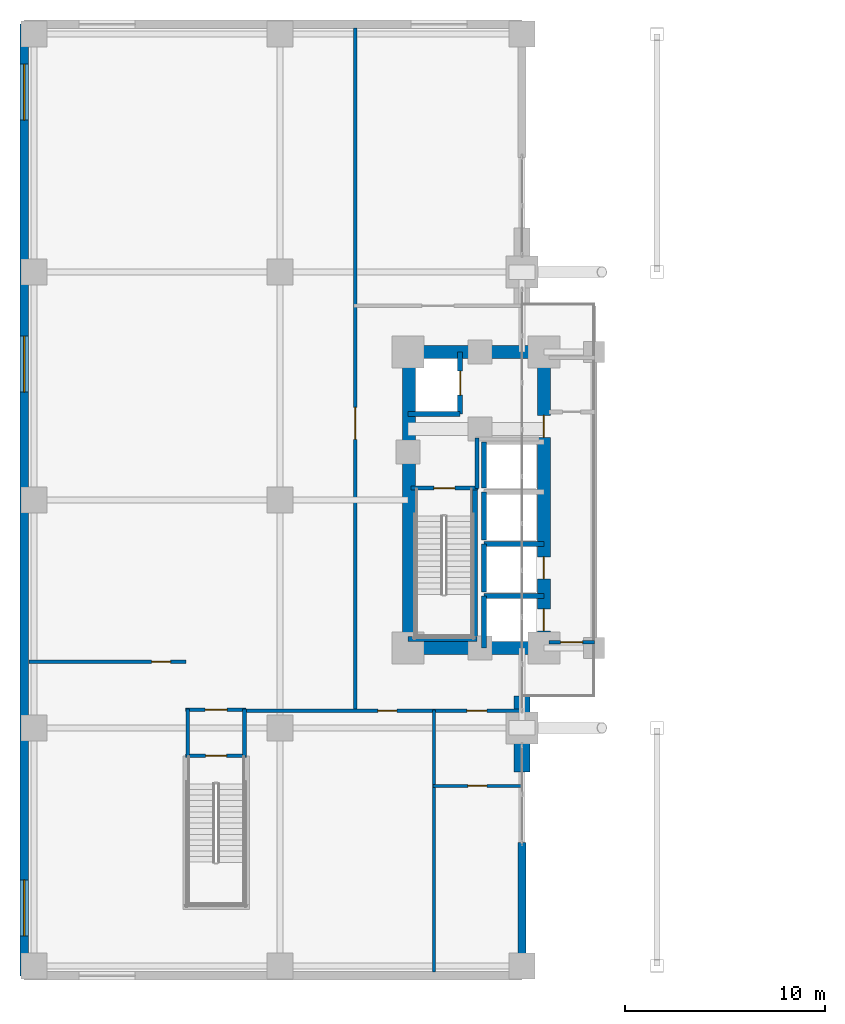
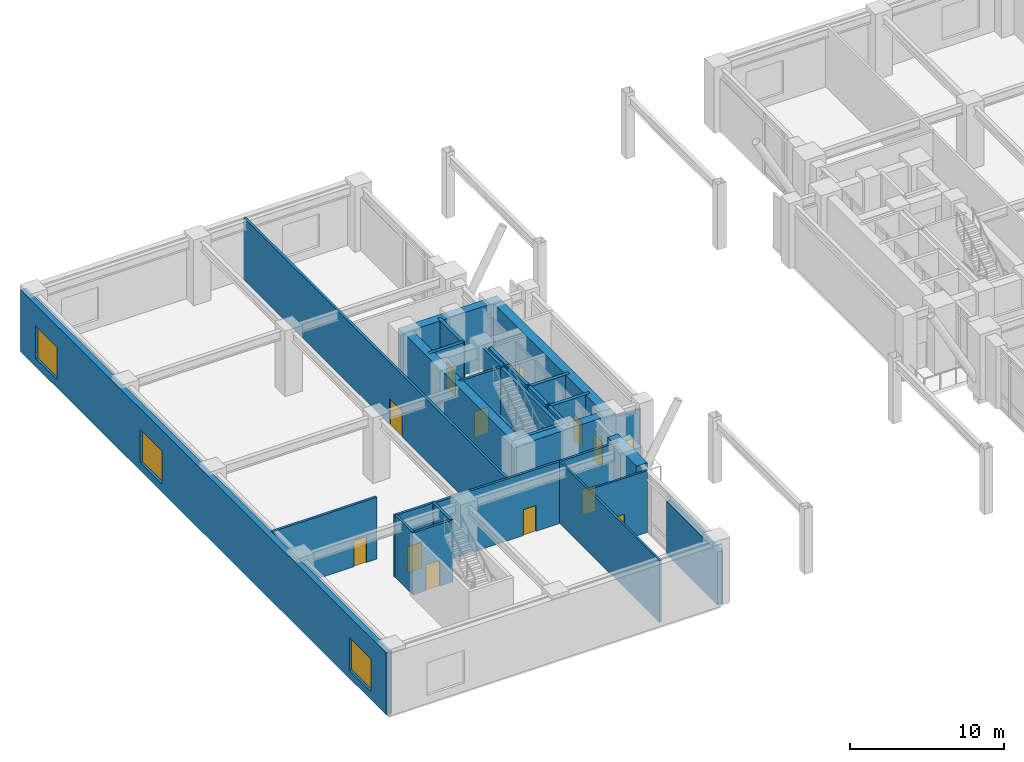
# One storey, part 20 of 27: 29 walls, 13 doors, 3 windows, 16 openings.
"""IFC4 building model written with IfcOpenShell, lengths in metres."""

from ifc_helpers import new_model, si_unit, direction, frame, frame_2d, origin, place, context, subcontext, project, spatial, rectangle, extrude, material, layer, layer_set, type_object, element, fill, save


model = new_model("IFC4")

# Units and contexts
model_context = context("Model", 3, precision=1e-05, world=origin(), true_north=direction((0.0, 1.0)))
body_context = subcontext(model_context, "Body", "Model", "MODEL_VIEW")
ifc_project = project(units=[si_unit("LENGTHUNIT", "METRE"), si_unit("AREAUNIT", "SQUARE_METRE"), si_unit("VOLUMEUNIT", "CUBIC_METRE"), si_unit("PLANEANGLEUNIT", "RADIAN"), si_unit("MASSUNIT", "GRAM", prefix="KILO")], contexts=[model_context])

# Site, building, storey
site_placement = place(None, origin())
site = spatial("IfcSite", under=ifc_project, at=site_placement, CompositionType="ELEMENT")
building_placement = place(site_placement, origin())
building = spatial("IfcBuilding", under=site, at=building_placement, Name="Voryun Gate Residences", CompositionType="ELEMENT")
storey_placement = place(building_placement, frame((0.0, 0.0, 5.199951171875)))
storey = spatial("IfcBuildingStorey", under=building, at=storey_placement, Name="L01", CompositionType="ELEMENT", Elevation=5.199951171875)

# Walls
ifc_material_1 = material(Name="Concrete C60/75", Category="concrete")
ifc_layer_1 = layer(ifc_material_1, 0.64990234375, Name="CW_CORE_650")
ifc_layer_set_1 = layer_set([ifc_layer_1], Name="Concrete C60/75")
wall_type_1 = type_object("IfcWallType", Name="CW_CORE_650", PredefinedType="SHEAR", material=ifc_layer_set_1)
for number, where, z_axis, x_axis, name in (
    (1, (-19.52490234375, -7.39990234375, 0.0), (0.0, 0.0, 1.0), (1.0, 0.0, 0.0), "L01 Core shear wall CW-L01-WS"),
    (2, (-19.52490234375, 7.39990234375, 0.0), (0.0, 0.0, 1.0), (1.0, 0.0, 0.0), "L01 Core shear wall CW-L01-WN"),
):
    element("IfcWall", number, at=place(storey_placement, frame(where, z_axis=z_axis, x_axis=x_axis)), inside=storey, type_object=wall_type_1, Name=name, PredefinedType="SHEAR", context=body_context, shape_type="SweptSolid", body=[
        extrude(rectangle(XDim=7.449951171875, YDim=0.64990234375, at=frame_2d((3.72509765625, 0.0))), origin(), (0.0, 0.0, 1.0), 4.920166015625),
    ])
wall_1_placement = place(storey_placement, frame((-19.14501953125, -7.39990234375, 0.0), z_axis=(0.0, 0.0, 1.0), x_axis=(0.0, 1.0, 0.0)))
element("IfcWall", 3, at=wall_1_placement, inside=storey, type_object=wall_type_1, Name="L01 Core shear wall CW-L01-WW", PredefinedType="SHEAR", context=body_context, shape_type="SweptSolid", body=[
    extrude(rectangle(XDim=14.7998046875, YDim=0.64990234375, at=frame_2d((7.39990234375, 0.0))), origin(), (0.0, 0.0, 1.0), 4.920166015625),
])

# Wall, openings, doors
wall_2_placement = place(storey_placement, frame((-12.39990234375, -7.39990234375, 0.0), z_axis=(0.0, 0.0, 1.0), x_axis=(0.0, 1.0, 0.0)))
wall_2 = element("IfcWall", 4, at=wall_2_placement, inside=storey, type_object=wall_type_1, Name="L01 Core shear wall CW-L01-WE", PredefinedType="SHEAR", context=body_context, shape_type="SweptSolid", body=[
    extrude(rectangle(XDim=14.7998046875, YDim=0.64990234375, at=frame_2d((7.39990234375, 0.0))), origin(), (0.0, 0.0, 1.0), 4.920166015625),
])
opening_1_placement = place(wall_2_placement, frame((0.85009765625, 0.0, 0.0)))
opening_1 = element("IfcOpeningElement", 5, at=opening_1_placement, cuts=wall_2, Name="Opening LD2", PredefinedType="OPENING", context=body_context, shape_type="SweptSolid", body=[
    extrude(rectangle(XDim=1.10009765625, YDim=2.050048828125, at=frame_2d((0.550048828125, 1.02490234375))), frame((0.0, 0.3349609375, 0.0), z_axis=(0.0, -1.0, 0.0), x_axis=(1.0, 0.0, 0.0)), (0.0, 0.0, 1.0), 0.669921875),
])
opening_2_placement = place(wall_2_placement, frame((3.449951171875, 0.0, 0.0)))
opening_2 = element("IfcOpeningElement", 6, at=opening_2_placement, cuts=wall_2, Name="Opening LD2", PredefinedType="OPENING", context=body_context, shape_type="SweptSolid", body=[
    extrude(rectangle(XDim=1.10009765625, YDim=2.050048828125, at=frame_2d((0.550048828125, 1.02490234375))), frame((0.0, 0.3349609375, 0.0), z_axis=(0.0, -1.0, 0.0), x_axis=(1.0, 0.0, 0.0)), (0.0, 0.0, 1.0), 0.669921875),
])
opening_3_placement = place(wall_2_placement, frame((10.530029296875, 0.0, 0.0)))
opening_3 = element("IfcOpeningElement", 7, at=opening_3_placement, cuts=wall_2, Name="Opening D-FD60-2", PredefinedType="OPENING", context=body_context, shape_type="SweptSolid", body=[
    extrude(rectangle(XDim=1.10009765625, YDim=2.050048828125, at=frame_2d((0.550048828125, 1.02490234375))), frame((0.0, 0.3349609375, 0.0), z_axis=(0.0, -1.0, 0.0), x_axis=(1.0, 0.0, 0.0)), (0.0, 0.0, 1.0), 0.669921875),
])
ifc_material_2 = material(Name="Painted steel fire door", Category="steel")
door_type_1 = type_object("IfcDoorType", Name="DR_FD60_FFLOB_1100", OperationType="NOTDEFINED", PredefinedType="DOOR", material=ifc_material_2)
door_1_placement = place(opening_3_placement, origin())
door_1 = element("IfcDoor", 8, at=door_1_placement, inside=storey, type_object=door_type_1, Name="Door DR-L01-CLOB-W", OperationType="SINGLE_SWING_LEFT", OverallHeight=2.050048828125, OverallWidth=1.10009765625, PredefinedType="DOOR", context=body_context, shape_type="SweptSolid", body=[
    extrude(rectangle(XDim=1.10009765625, YDim=2.050048828125, at=frame_2d((0.550048828125, 1.02490234375))), frame((0.0, 0.02490234375, 0.0), z_axis=(0.0, -1.0, 0.0), x_axis=(1.0, 0.0, 0.0)), (0.0, 0.0, 1.0), 0.050048828125),
])
fill(opening_3, door_1)
ifc_material_3 = material(Name="Anodised aluminium", Category="aluminium")
door_type_2 = type_object("IfcDoorType", Name="DR_LD_PASS_1100", OperationType="NOTDEFINED", PredefinedType="DOOR", material=ifc_material_3)
door_2_placement = place(opening_1_placement, origin())
door_2 = element("IfcDoor", 9, at=door_2_placement, inside=storey, type_object=door_type_2, Name="Lift EL-P1 sliding landing door L01", OperationType="SLIDING_TO_LEFT", OverallHeight=2.050048828125, OverallWidth=1.10009765625, PredefinedType="DOOR", context=body_context, shape_type="SweptSolid", body=[
    extrude(rectangle(XDim=1.10009765625, YDim=2.050048828125, at=frame_2d((0.550048828125, 1.02490234375))), frame((0.0, 0.02490234375, 0.0), z_axis=(0.0, -1.0, 0.0), x_axis=(1.0, 0.0, 0.0)), (0.0, 0.0, 1.0), 0.050048828125),
])
fill(opening_1, door_2)
door_3_placement = place(opening_2_placement, origin())
door_3 = element("IfcDoor", 10, at=door_3_placement, inside=storey, type_object=door_type_2, Name="Lift EL-P2 sliding landing door L01", OperationType="SLIDING_TO_LEFT", OverallHeight=2.050048828125, OverallWidth=1.10009765625, PredefinedType="DOOR", context=body_context, shape_type="SweptSolid", body=[
    extrude(rectangle(XDim=1.10009765625, YDim=2.050048828125, at=frame_2d((0.550048828125, 1.02490234375))), frame((0.0, 0.02490234375, 0.0), z_axis=(0.0, -1.0, 0.0), x_axis=(1.0, 0.0, 0.0)), (0.0, 0.0, 1.0), 0.050048828125),
])
fill(opening_2, door_3)

# Wall
ifc_material_4 = material(Name="Concrete C60/75", Category="concrete")
ifc_layer_2 = layer(ifc_material_4, 0.800048828125, Name="W_ARCH_PIER_800")
ifc_layer_set_2 = layer_set([ifc_layer_2], Name="Concrete C60/75")
wall_type_2 = type_object("IfcWallType", Name="W_ARCH_PIER_800", PredefinedType="SOLIDWALL", material=ifc_layer_set_2)
wall_3_placement = place(storey_placement, frame((-13.5, -13.60009765625, 0.0), z_axis=(0.0, 0.0, 1.0), x_axis=(0.0, 1.0, 0.0)))
element("IfcWall", 11, at=wall_3_placement, inside=storey, type_object=wall_type_2, Name="L01 Parabolic arch pier wall WS", PredefinedType="SOLIDWALL", context=body_context, shape_type="SweptSolid", body=[
    extrude(rectangle(XDim=3.800048828125, YDim=0.800048828125, at=frame_2d((1.89990234375, 0.0))), origin(), (0.0, 0.0, 1.0), 4.920166015625),
])

# Wall, opening, door
ifc_material_5 = material(Name="Gypsum acoustic fireboard")
ifc_layer_3 = layer(ifc_material_5, 0.179931640625, Name="W_CORR_RATED_180")
ifc_layer_set_3 = layer_set([ifc_layer_3], Name="Gypsum acoustic fireboard")
wall_type_3 = type_object("IfcWallType", Name="W_CORR_RATED_180", PredefinedType="PARTITIONING", material=ifc_layer_set_3)
wall_4_placement = place(storey_placement, frame((-19.06005859375, 0.60009765625, 0.0), z_axis=(0.0, 0.0, 1.0), x_axis=(1.0, 0.0, 0.0)))
wall_4 = element("IfcWall", 12, at=wall_4_placement, inside=storey, type_object=wall_type_3, Name="Partition wall WP-L01-STV-W", PredefinedType="PARTITIONING", context=body_context, shape_type="SweptSolid", body=[
    extrude(rectangle(XDim=3.360107421875, YDim=0.179931640625, at=frame_2d((1.68017578125, 0.0))), origin(), (0.0, 0.0, 1.0), 4.920166015625),
])
opening_4_placement = place(wall_4_placement, frame((1.155029296875, 0.0, 0.0)))
opening_4 = element("IfcOpeningElement", 13, at=opening_4_placement, cuts=wall_4, Name="Opening D-FD60-1", PredefinedType="OPENING", context=body_context, shape_type="SweptSolid", body=[
    extrude(rectangle(XDim=1.050048828125, YDim=2.050048828125, at=frame_2d((0.52490234375, 1.02490234375))), frame((0.0, 0.099853515625, 0.0), z_axis=(0.0, -1.0, 0.0), x_axis=(1.0, 0.0, 0.0)), (0.0, 0.0, 1.0), 0.199951171875),
])
ifc_material_6 = material(Name="Painted steel fire door", Category="steel")
door_type_3 = type_object("IfcDoorType", Name="DR_FD60_STAIR_1050", OperationType="NOTDEFINED", PredefinedType="DOOR", material=ifc_material_6)
door_4_placement = place(opening_4_placement, origin())
door_4 = element("IfcDoor", 14, at=door_4_placement, inside=storey, type_object=door_type_3, Name="Door DR-L01-ST-W", OperationType="SINGLE_SWING_LEFT", OverallHeight=2.050048828125, OverallWidth=1.050048828125, PredefinedType="DOOR", context=body_context, shape_type="SweptSolid", body=[
    extrude(rectangle(XDim=1.050048828125, YDim=2.050048828125, at=frame_2d((0.52490234375, 1.02490234375))), frame((0.0, 0.02490234375, 0.0), z_axis=(0.0, -1.0, 0.0), x_axis=(1.0, 0.0, 0.0)), (0.0, 0.0, 1.0), 0.050048828125),
])
fill(opening_4, door_4)

wall_5_placement = place(storey_placement, frame((-12.14990234375, -7.1201171875, 0.0), z_axis=(0.0, 0.0, 1.0), x_axis=(1.0, 0.0, 0.0)))
wall_5 = element("IfcWall", 15, at=wall_5_placement, inside=storey, type_object=wall_type_3, Name="Partition wall WP-L01-PLBS-W", PredefinedType="PARTITIONING", context=body_context, shape_type="SweptSolid", body=[
    extrude(rectangle(XDim=2.27001953125, YDim=0.179931640625, at=frame_2d((1.135009765625, 0.0))), origin(), (0.0, 0.0, 1.0), 4.2099609375),
])
opening_5_placement = place(wall_5_placement, frame((0.5849609375, 0.0, 0.0)))
opening_5 = element("IfcOpeningElement", 16, at=opening_5_placement, cuts=wall_5, Name="Opening D-FD60-2", PredefinedType="OPENING", context=body_context, shape_type="SweptSolid", body=[
    extrude(rectangle(XDim=1.10009765625, YDim=2.050048828125, at=frame_2d((0.550048828125, 1.02490234375))), frame((0.0, 0.099853515625, 0.0), z_axis=(0.0, -1.0, 0.0), x_axis=(1.0, 0.0, 0.0)), (0.0, 0.0, 1.0), 0.199951171875),
])
door_5_placement = place(opening_5_placement, origin())
door_5 = element("IfcDoor", 17, at=door_5_placement, inside=storey, type_object=door_type_1, Name="Door DR-L01-PLBNW", OperationType="SINGLE_SWING_LEFT", OverallHeight=2.050048828125, OverallWidth=1.10009765625, PredefinedType="DOOR", context=body_context, shape_type="SweptSolid", body=[
    extrude(rectangle(XDim=1.10009765625, YDim=2.050048828125, at=frame_2d((0.550048828125, 1.02490234375))), frame((0.0, 0.02490234375, 0.0), z_axis=(0.0, -1.0, 0.0), x_axis=(1.0, 0.0, 0.0)), (0.0, 0.0, 1.0), 0.050048828125),
])
fill(opening_5, door_5)

# Walls
for number, where, z_axis, x_axis, name in (
    (18, (-30.219970703125, -12.800048828125, 0.0), (0.0, 0.0, 1.0), (0.0, 1.0, 0.0), "Partition wall WP-L01-ST-P1-VW"),
    (19, (-27.3798828125, -12.800048828125, 0.0), (0.0, 0.0, 1.0), (0.0, 1.0, 0.0), "Partition wall WP-L01-ST-P1-VE"),
):
    element("IfcWall", number, at=place(storey_placement, frame(where, z_axis=z_axis, x_axis=x_axis)), inside=storey, type_object=wall_type_3, Name=name, PredefinedType="PARTITIONING", context=body_context, shape_type="SweptSolid", body=[
        extrude(rectangle(XDim=2.35009765625, YDim=0.179931640625, at=frame_2d((1.175048828125, 0.0))), origin(), (0.0, 0.0, 1.0), 4.920166015625),
    ])

# Wall, opening, door
wall_6_placement = place(storey_placement, frame((-30.320068359375, -12.800048828125, 0.0), z_axis=(0.0, 0.0, 1.0), x_axis=(1.0, 0.0, 0.0)))
wall_6 = element("IfcWall", 20, at=wall_6_placement, inside=storey, type_object=wall_type_3, Name="Partition wall WP-L01-ST-P1-MID", PredefinedType="PARTITIONING", context=body_context, shape_type="SweptSolid", body=[
    extrude(rectangle(XDim=3.0400390625, YDim=0.179931640625, at=frame_2d((1.52001953125, 0.0))), origin(), (0.0, 0.0, 1.0), 4.920166015625),
])
opening_6_placement = place(wall_6_placement, frame((0.9951171875, 0.0, 0.0)))
opening_6 = element("IfcOpeningElement", 21, at=opening_6_placement, cuts=wall_6, Name="Opening D-FD60-1", PredefinedType="OPENING", context=body_context, shape_type="SweptSolid", body=[
    extrude(rectangle(XDim=1.050048828125, YDim=2.050048828125, at=frame_2d((0.52490234375, 1.02490234375))), frame((0.0, 0.099853515625, 0.0), z_axis=(0.0, -1.0, 0.0), x_axis=(1.0, 0.0, 0.0)), (0.0, 0.0, 1.0), 0.199951171875),
])
door_6_placement = place(opening_6_placement, origin())
door_6 = element("IfcDoor", 22, at=door_6_placement, inside=storey, type_object=door_type_3, Name="Door DR-L01-ST-P1-IN", OperationType="SINGLE_SWING_LEFT", OverallHeight=2.050048828125, OverallWidth=1.050048828125, PredefinedType="DOOR", context=body_context, shape_type="SweptSolid", body=[
    extrude(rectangle(XDim=1.050048828125, YDim=2.050048828125, at=frame_2d((0.52490234375, 1.02490234375))), frame((0.0, 0.02490234375, 0.0), z_axis=(0.0, -1.0, 0.0), x_axis=(1.0, 0.0, 0.0)), (0.0, 0.0, 1.0), 0.050048828125),
])
fill(opening_6, door_6)

wall_7_placement = place(storey_placement, frame((-30.320068359375, -10.5, 0.0), z_axis=(0.0, 0.0, 1.0), x_axis=(1.0, 0.0, 0.0)))
wall_7 = element("IfcWall", 23, at=wall_7_placement, inside=storey, type_object=wall_type_3, Name="Partition wall WP-L01-ST-P1-N", PredefinedType="PARTITIONING", context=body_context, shape_type="SweptSolid", body=[
    extrude(rectangle(XDim=3.02001953125, YDim=0.179931640625, at=frame_2d((1.510009765625, 0.0))), origin(), (0.0, 0.0, 1.0), 4.920166015625),
])
opening_7_placement = place(wall_7_placement, frame((0.969970703125, 0.0, 0.0)))
opening_7 = element("IfcOpeningElement", 24, at=opening_7_placement, cuts=wall_7, Name="Opening D-FD60-2", PredefinedType="OPENING", context=body_context, shape_type="SweptSolid", body=[
    extrude(rectangle(XDim=1.10009765625, YDim=2.050048828125, at=frame_2d((0.550048828125, 1.02490234375))), frame((0.0, 0.099853515625, 0.0), z_axis=(0.0, -1.0, 0.0), x_axis=(1.0, 0.0, 0.0)), (0.0, 0.0, 1.0), 0.199951171875),
])
door_7_placement = place(opening_7_placement, origin())
door_7 = element("IfcDoor", 25, at=door_7_placement, inside=storey, type_object=door_type_1, Name="Door DR-L01-ST-P1-OUT", OperationType="SINGLE_SWING_RIGHT", OverallHeight=2.050048828125, OverallWidth=1.10009765625, PredefinedType="DOOR", context=body_context, shape_type="SweptSolid", body=[
    extrude(rectangle(XDim=1.10009765625, YDim=2.050048828125, at=frame_2d((0.550048828125, 1.02490234375))), frame((0.0, 0.02490234375, 0.0), z_axis=(0.0, -1.0, 0.0), x_axis=(1.0, 0.0, 0.0)), (0.0, 0.0, 1.0), 0.050048828125),
])
fill(opening_7, door_7)

wall_8_placement = place(storey_placement, frame((-38.14990234375, -8.10009765625, 0.0), z_axis=(0.0, 0.0, 1.0), x_axis=(1.0, 0.0, 0.0)))
wall_8 = element("IfcWall", 26, at=wall_8_placement, inside=storey, type_object=wall_type_3, Name="Partition wall WP-L01-WCS1", PredefinedType="PARTITIONING", context=body_context, shape_type="SweptSolid", body=[
    extrude(rectangle(XDim=7.849853515625, YDim=0.179931640625, at=frame_2d((3.9248046875, 0.0))), origin(), (0.0, 0.0, 1.0), 4.920166015625),
])
opening_8_placement = place(wall_8_placement, frame((6.118896484375, 0.0, 0.0)))
opening_8 = element("IfcOpeningElement", 27, at=opening_8_placement, cuts=wall_8, Name="Opening D-INT-1", PredefinedType="OPENING", context=body_context, shape_type="SweptSolid", body=[
    extrude(rectangle(XDim=0.949951171875, YDim=2.050048828125, at=frame_2d((0.47509765625, 1.02490234375))), frame((0.0, 0.099853515625, 0.0), z_axis=(0.0, -1.0, 0.0), x_axis=(1.0, 0.0, 0.0)), (0.0, 0.0, 1.0), 0.199951171875),
])
ifc_material_7 = material(Name="Architectural oak veneer")
door_type_4 = type_object("IfcDoorType", Name="DR_INT_ROOM_950", OperationType="NOTDEFINED", PredefinedType="DOOR", material=ifc_material_7)
door_8_placement = place(opening_8_placement, origin())
door_8 = element("IfcDoor", 28, at=door_8_placement, inside=storey, type_object=door_type_4, Name="Door DR-L01-WD2", OperationType="SINGLE_SWING_LEFT", OverallHeight=2.050048828125, OverallWidth=0.949951171875, PredefinedType="DOOR", context=body_context, shape_type="SweptSolid", body=[
    extrude(rectangle(XDim=0.949951171875, YDim=2.050048828125, at=frame_2d((0.47509765625, 1.02490234375))), frame((0.0, 0.02490234375, 0.0), z_axis=(0.0, -1.0, 0.0), x_axis=(1.0, 0.0, 0.0)), (0.0, 0.0, 1.0), 0.050048828125),
])
fill(opening_8, door_8)

wall_9_placement = place(storey_placement, frame((-21.85009765625, -10.5, 0.0), z_axis=(0.0, 0.0, 1.0), x_axis=(0.0, 1.0, 0.0)))
wall_9 = element("IfcWall", 29, at=wall_9_placement, inside=storey, type_object=wall_type_3, Name="Partition wall WP-L01-WCW1", PredefinedType="PARTITIONING", context=body_context, shape_type="SweptSolid", body=[
    extrude(rectangle(XDim=34.1201171875, YDim=0.179931640625, at=frame_2d((17.06005859375, 0.0))), origin(), (0.0, 0.0, 1.0), 4.920166015625),
])
opening_9_placement = place(wall_9_placement, frame((13.530517578125, 0.0, 0.0)))
opening_9 = element("IfcOpeningElement", 30, at=opening_9_placement, cuts=wall_9, Name="Opening D-FD30-1", PredefinedType="OPENING", context=body_context, shape_type="SweptSolid", body=[
    extrude(rectangle(XDim=1.60009765625, YDim=2.050048828125, at=frame_2d((0.800048828125, 1.02490234375))), frame((0.0, 0.099853515625, 0.0), z_axis=(0.0, -1.0, 0.0), x_axis=(1.0, 0.0, 0.0)), (0.0, 0.0, 1.0), 0.199951171875),
])
ifc_material_8 = material(Name="Glazed aluminium fire door", Category="aluminium")
door_type_5 = type_object("IfcDoorType", Name="DR_CORR_SMOKE_1600", OperationType="NOTDEFINED", PredefinedType="DOOR", material=ifc_material_8)
door_9_placement = place(opening_9_placement, origin())
door_9 = element("IfcDoor", 31, at=door_9_placement, inside=storey, type_object=door_type_5, Name="Door DR-L01-WD1", OperationType="DOUBLE_DOOR_SINGLE_SWING", OverallHeight=2.050048828125, OverallWidth=1.60009765625, PredefinedType="DOOR", context=body_context, shape_type="SweptSolid", body=[
    extrude(rectangle(XDim=1.60009765625, YDim=2.050048828125, at=frame_2d((0.800048828125, 1.02490234375))), frame((0.0, 0.02490234375, 0.0), z_axis=(0.0, -1.0, 0.0), x_axis=(1.0, 0.0, 0.0)), (0.0, 0.0, 1.0), 0.050048828125),
])
fill(opening_9, door_9)

# Wall, openings, doors
wall_10_placement = place(storey_placement, frame((-27.47998046875, -10.550048828125, 0.0), z_axis=(0.0, 0.0, 1.0), x_axis=(1.0, 0.0, 0.0)))
wall_10 = element("IfcWall", 32, at=wall_10_placement, inside=storey, type_object=wall_type_3, Name="Partition wall WP-L01-WCS2", PredefinedType="PARTITIONING", context=body_context, shape_type="SweptSolid", body=[
    extrude(rectangle(XDim=13.9599609375, YDim=0.179931640625, at=frame_2d((6.97998046875, 0.0))), origin(), (0.0, 0.0, 1.0), 4.920166015625),
])
opening_10_placement = place(wall_10_placement, frame((6.774658203125, 0.0, 0.0)))
opening_10 = element("IfcOpeningElement", 33, at=opening_10_placement, cuts=wall_10, Name="Opening D-INT-1", PredefinedType="OPENING", context=body_context, shape_type="SweptSolid", body=[
    extrude(rectangle(XDim=0.949951171875, YDim=2.050048828125, at=frame_2d((0.47509765625, 1.02490234375))), frame((0.0, 0.099853515625, 0.0), z_axis=(0.0, -1.0, 0.0), x_axis=(1.0, 0.0, 0.0)), (0.0, 0.0, 1.0), 0.199951171875),
])
opening_11_placement = place(wall_10_placement, frame((11.22314453125, 0.0, 0.0)))
opening_11 = element("IfcOpeningElement", 34, at=opening_11_placement, cuts=wall_10, Name="Opening D-AWC-1", PredefinedType="OPENING", context=body_context, shape_type="SweptSolid", body=[
    extrude(rectangle(XDim=1.0, YDim=2.050048828125, at=frame_2d((0.5, 1.02490234375))), frame((0.0, 0.099853515625, 0.0), z_axis=(0.0, -1.0, 0.0), x_axis=(1.0, 0.0, 0.0)), (0.0, 0.0, 1.0), 0.199951171875),
])
ifc_material_9 = material(Name="Architectural oak veneer")
door_type_6 = type_object("IfcDoorType", Name="DR_ACC_WC_1000", OperationType="NOTDEFINED", PredefinedType="DOOR", material=ifc_material_9)
door_10_placement = place(opening_11_placement, origin())
door_10 = element("IfcDoor", 35, at=door_10_placement, inside=storey, type_object=door_type_6, Name="Door DR-L01-WDWC", OperationType="SINGLE_SWING_RIGHT", OverallHeight=2.050048828125, OverallWidth=1.0, PredefinedType="DOOR", context=body_context, shape_type="SweptSolid", body=[
    extrude(rectangle(XDim=1.0, YDim=2.050048828125, at=frame_2d((0.5, 1.02490234375))), frame((0.0, 0.02490234375, 0.0), z_axis=(0.0, -1.0, 0.0), x_axis=(1.0, 0.0, 0.0)), (0.0, 0.0, 1.0), 0.050048828125),
])
fill(opening_11, door_10)
door_11_placement = place(opening_10_placement, origin())
door_11 = element("IfcDoor", 36, at=door_11_placement, inside=storey, type_object=door_type_4, Name="Door DR-L01-WD2B", OperationType="SINGLE_SWING_LEFT", OverallHeight=2.050048828125, OverallWidth=0.949951171875, PredefinedType="DOOR", context=body_context, shape_type="SweptSolid", body=[
    extrude(rectangle(XDim=0.949951171875, YDim=2.050048828125, at=frame_2d((0.47509765625, 1.02490234375))), frame((0.0, 0.02490234375, 0.0), z_axis=(0.0, -1.0, 0.0), x_axis=(1.0, 0.0, 0.0)), (0.0, 0.0, 1.0), 0.050048828125),
])
fill(opening_10, door_11)

# Wall
ifc_material_10 = material(Name="Granite masonry", Category="masonry")
ifc_layer_4 = layer(ifc_material_10, 0.419921875, Name="W_EXT_PODIUM_420")
ifc_layer_set_4 = layer_set([ifc_layer_4], Name="Granite masonry")
wall_type_4 = type_object("IfcWallType", Name="W_EXT_PODIUM_420", PredefinedType="ELEMENTEDWALL", material=ifc_layer_set_4)
wall_11_placement = place(storey_placement, frame((-13.5, -23.800048828125, 0.0), z_axis=(0.0, 0.0, 1.0), x_axis=(0.0, 1.0, 0.0)))
element("IfcWall", 37, at=wall_11_placement, inside=storey, type_object=wall_type_4, Name="Exterior wall WEP-L01-WP-2A", PredefinedType="ELEMENTEDWALL", context=body_context, shape_type="SweptSolid", body=[
    extrude(rectangle(XDim=6.679931640625, YDim=0.419921875, at=frame_2d((3.33984375, 0.0))), origin(), (0.0, 0.0, 1.0), 4.2099609375),
])

# Wall, openings, windows
wall_12_placement = place(storey_placement, frame((-38.39990234375, 23.800048828125, 0.0), z_axis=(0.0, 0.0, 1.0), x_axis=(0.0, -1.0, 0.0)))
wall_12 = element("IfcWall", 38, at=wall_12_placement, inside=storey, type_object=wall_type_4, Name="Exterior wall WEP-L01-WP-4", PredefinedType="ELEMENTEDWALL", context=body_context, shape_type="SweptSolid", body=[
    extrude(rectangle(XDim=47.60009765625, YDim=0.419921875, at=frame_2d((23.800048828125, 0.0))), origin(), (0.0, 0.0, 1.0), 4.920166015625),
])
opening_12_placement = place(wall_12_placement, frame((2.0, 0.0, 0.64990234375)))
opening_12 = element("IfcOpeningElement", 39, at=opening_12_placement, cuts=wall_12, Name="Opening WN5", PredefinedType="OPENING", context=body_context, shape_type="SweptSolid", body=[
    extrude(rectangle(XDim=2.800048828125, YDim=2.60009765625, at=frame_2d((1.39990234375, 1.300048828125))), frame((0.0, 0.219970703125, 0.0), z_axis=(0.0, -1.0, 0.0), x_axis=(1.0, 0.0, 0.0)), (0.0, 0.0, 1.0), 0.43994140625),
])
opening_13_placement = place(wall_12_placement, frame((15.60009765625, 0.0, 0.64990234375)))
opening_13 = element("IfcOpeningElement", 40, at=opening_13_placement, cuts=wall_12, Name="Opening WN5", PredefinedType="OPENING", context=body_context, shape_type="SweptSolid", body=[
    extrude(rectangle(XDim=2.800048828125, YDim=2.60009765625, at=frame_2d((1.39990234375, 1.300048828125))), frame((0.0, 0.219970703125, 0.0), z_axis=(0.0, -1.0, 0.0), x_axis=(1.0, 0.0, 0.0)), (0.0, 0.0, 1.0), 0.43994140625),
])
opening_14_placement = place(wall_12_placement, frame((42.800048828125, 0.0, 0.64990234375)))
opening_14 = element("IfcOpeningElement", 41, at=opening_14_placement, cuts=wall_12, Name="Opening WN5", PredefinedType="OPENING", context=body_context, shape_type="SweptSolid", body=[
    extrude(rectangle(XDim=2.800048828125, YDim=2.60009765625, at=frame_2d((1.39990234375, 1.300048828125))), frame((0.0, 0.219970703125, 0.0), z_axis=(0.0, -1.0, 0.0), x_axis=(1.0, 0.0, 0.0)), (0.0, 0.0, 1.0), 0.43994140625),
])
ifc_material_11 = material(Name="Laminated low-E glass", Category="glass")
window_type = type_object("IfcWindowType", Name="WN_POD_GALLERY_2800", PartitioningType="SINGLE_PANEL", PredefinedType="WINDOW", material=ifc_material_11)
window_1_placement = place(opening_12_placement, origin())
window_1 = element("IfcWindow", 42, at=window_1_placement, inside=storey, type_object=window_type, Name="Window WN-L01-WP-4-01", OverallHeight=2.60009765625, OverallWidth=2.800048828125, PartitioningType="SINGLE_PANEL", PredefinedType="WINDOW", context=body_context, shape_type="SweptSolid", body=[
    extrude(rectangle(XDim=2.800048828125, YDim=2.60009765625, at=frame_2d((1.39990234375, 1.300048828125))), frame((0.0, 0.030029296875, 0.0), z_axis=(0.0, -1.0, 0.0), x_axis=(1.0, 0.0, 0.0)), (0.0, 0.0, 1.0), 0.06005859375),
])
fill(opening_12, window_1)
window_2_placement = place(opening_13_placement, origin())
window_2 = element("IfcWindow", 43, at=window_2_placement, inside=storey, type_object=window_type, Name="Window WN-L01-WP-4-03", OverallHeight=2.60009765625, OverallWidth=2.800048828125, PartitioningType="SINGLE_PANEL", PredefinedType="WINDOW", context=body_context, shape_type="SweptSolid", body=[
    extrude(rectangle(XDim=2.800048828125, YDim=2.60009765625, at=frame_2d((1.39990234375, 1.300048828125))), frame((0.0, 0.030029296875, 0.0), z_axis=(0.0, -1.0, 0.0), x_axis=(1.0, 0.0, 0.0)), (0.0, 0.0, 1.0), 0.06005859375),
])
fill(opening_13, window_2)
window_3_placement = place(opening_14_placement, origin())
window_3 = element("IfcWindow", 44, at=window_3_placement, inside=storey, type_object=window_type, Name="Window WN-L01-WP-4-07", OverallHeight=2.60009765625, OverallWidth=2.800048828125, PartitioningType="SINGLE_PANEL", PredefinedType="WINDOW", context=body_context, shape_type="SweptSolid", body=[
    extrude(rectangle(XDim=2.800048828125, YDim=2.60009765625, at=frame_2d((1.39990234375, 1.300048828125))), frame((0.0, 0.030029296875, 0.0), z_axis=(0.0, -1.0, 0.0), x_axis=(1.0, 0.0, 0.0)), (0.0, 0.0, 1.0), 0.06005859375),
])
fill(opening_14, window_3)

# Walls
ifc_material_12 = material(Name="Concrete C40/50", Category="concrete")
ifc_layer_5 = layer(ifc_material_12, 0.199951171875, Name="W_FF_LOBBY_200")
ifc_layer_set_5 = layer_set([ifc_layer_5], Name="Concrete C40/50")
wall_type_5 = type_object("IfcWallType", Name="W_FF_LOBBY_200", PredefinedType="PARTITIONING", material=ifc_layer_set_5)
wall_13_placement = place(storey_placement, frame((-15.760009765625, 0.580078125, 0.0), z_axis=(0.0, 0.0, 1.0), x_axis=(0.0, 1.0, 0.0)))
element("IfcWall", 45, at=wall_13_placement, inside=storey, type_object=wall_type_5, Name="Partition wall WP-L01-FFP0-W", PredefinedType="PARTITIONING", context=body_context, shape_type="SweptSolid", body=[
    extrude(rectangle(XDim=2.52001953125, YDim=0.199951171875, at=frame_2d((1.260009765625, 0.0))), origin(), (0.0, 0.0, 1.0), 4.920166015625),
])
ifc_material_13 = material(Name="Concrete C50/60", Category="concrete")
ifc_layer_6 = layer(ifc_material_13, 0.25, Name="W_SHAFT_RC250")
ifc_layer_set_6 = layer_set([ifc_layer_6], Name="Concrete C50/60")
wall_type_6 = type_object("IfcWallType", Name="W_SHAFT_RC250", PredefinedType="SOLIDWALL", material=ifc_layer_set_6)
wall_14_placement = place(storey_placement, frame((-15.860107421875, -7.0849609375, 0.0), z_axis=(0.0, 0.0, 1.0), x_axis=(0.0, 1.0, 0.0)))
element("IfcWall", 46, at=wall_14_placement, inside=storey, type_object=wall_type_6, Name="L01 Stair shaft structural wall W-STR", PredefinedType="SOLIDWALL", context=body_context, shape_type="SweptSolid", body=[
    extrude(rectangle(XDim=7.68505859375, YDim=0.25, at=frame_2d((3.842529296875, 0.0))), origin(), (0.0, 0.0, 1.0), 4.920166015625),
])
wall_15_placement = place(storey_placement, frame((-19.199951171875, -6.965087890625, 0.0), z_axis=(0.0, 0.0, 1.0), x_axis=(1.0, 0.0, 0.0)))
element("IfcWall", 47, at=wall_15_placement, inside=storey, type_object=wall_type_6, Name="L01 Stair shaft structural wall W-STS", PredefinedType="SOLIDWALL", context=body_context, shape_type="SweptSolid", body=[
    extrude(rectangle(XDim=3.4599609375, YDim=0.25, at=frame_2d((1.72998046875, 0.0))), origin(), (0.0, 0.0, 1.0), 4.920166015625),
])
wall_16_placement = place(storey_placement, frame((-19.199951171875, 4.300048828125, 0.0), z_axis=(0.0, 0.0, 1.0), x_axis=(1.0, 0.0, 0.0)))
element("IfcWall", 48, at=wall_16_placement, inside=storey, type_object=wall_type_6, Name="Lift shaft wall WSH-L01-EL-FF-W1-S", PredefinedType="SOLIDWALL", context=body_context, shape_type="SweptSolid", body=[
    extrude(rectangle(XDim=2.599853515625, YDim=0.25, at=frame_2d((1.2998046875, 0.0))), origin(), (0.0, 0.0, 1.0), 4.920166015625),
])

# Wall, opening, door
wall_17_placement = place(storey_placement, frame((-16.60009765625, 4.300048828125, 0.0), z_axis=(0.0, 0.0, 1.0), x_axis=(0.0, 1.0, 0.0)))
wall_17 = element("IfcWall", 49, at=wall_17_placement, inside=storey, type_object=wall_type_6, Name="Lift shaft wall WSH-L01-EL-FF-W1-E", PredefinedType="SOLIDWALL", context=body_context, shape_type="SweptSolid", body=[
    extrude(rectangle(XDim=3.099853515625, YDim=0.25, at=frame_2d((1.5498046875, 0.0))), origin(), (0.0, 0.0, 1.0), 4.920166015625),
])
opening_15_placement = place(wall_17_placement, frame((0.949951171875, 0.0, 0.0)))
opening_15 = element("IfcOpeningElement", 50, at=opening_15_placement, cuts=wall_17, Name="Opening LD1", PredefinedType="OPENING", context=body_context, shape_type="SweptSolid", body=[
    extrude(rectangle(XDim=1.199951171875, YDim=2.050048828125, at=frame_2d((0.60009765625, 1.02490234375))), frame((0.0, 0.135009765625, 0.0), z_axis=(0.0, -1.0, 0.0), x_axis=(1.0, 0.0, 0.0)), (0.0, 0.0, 1.0), 0.27001953125),
])
ifc_material_14 = material(Name="Anodised aluminium", Category="aluminium")
door_type_7 = type_object("IfcDoorType", Name="DR_LD_FF_1200", OperationType="NOTDEFINED", PredefinedType="DOOR", material=ifc_material_14)
door_12_placement = place(opening_15_placement, origin())
door_12 = element("IfcDoor", 51, at=door_12_placement, inside=storey, type_object=door_type_7, Name="Lift EL-FF-W1 sliding landing door L01", OperationType="SLIDING_TO_LEFT", OverallHeight=2.050048828125, OverallWidth=1.199951171875, PredefinedType="DOOR", context=body_context, shape_type="SweptSolid", body=[
    extrude(rectangle(XDim=1.199951171875, YDim=2.050048828125, at=frame_2d((0.60009765625, 1.02490234375))), frame((0.0, 0.02490234375, 0.0), z_axis=(0.0, -1.0, 0.0), x_axis=(1.0, 0.0, 0.0)), (0.0, 0.0, 1.0), 0.050048828125),
])
fill(opening_15, door_12)

# Walls
wall_18_placement = place(storey_placement, frame((-12.39990234375, -4.800048828125, 0.0), z_axis=(0.0, 0.0, 1.0), x_axis=(-1.0, 0.0, 0.0)))
element("IfcWall", 52, at=wall_18_placement, inside=storey, type_object=wall_type_6, Name="Lift shaft wall WSH-L01-EL-P1-N", PredefinedType="SOLIDWALL", context=body_context, shape_type="SweptSolid", body=[
    extrude(rectangle(XDim=3.0, YDim=0.25, at=frame_2d((1.5, 0.0))), origin(), (0.0, 0.0, 1.0), 4.920166015625),
])
wall_19_placement = place(storey_placement, frame((-15.39990234375, -4.800048828125, 0.0), z_axis=(0.0, 0.0, 1.0), x_axis=(0.0, -1.0, 0.0)))
element("IfcWall", 53, at=wall_19_placement, inside=storey, type_object=wall_type_6, Name="Lift shaft wall WSH-L01-EL-P1-W", PredefinedType="SOLIDWALL", context=body_context, shape_type="SweptSolid", body=[
    extrude(rectangle(XDim=2.599853515625, YDim=0.25, at=frame_2d((1.2998046875, 0.0))), origin(), (0.0, 0.0, 1.0), 4.920166015625),
])
wall_20_placement = place(storey_placement, frame((-12.39990234375, -2.199951171875, 0.0), z_axis=(0.0, 0.0, 1.0), x_axis=(-1.0, 0.0, 0.0)))
element("IfcWall", 54, at=wall_20_placement, inside=storey, type_object=wall_type_6, Name="Lift shaft wall WSH-L01-EL-P2-N", PredefinedType="SOLIDWALL", context=body_context, shape_type="SweptSolid", body=[
    extrude(rectangle(XDim=3.0, YDim=0.25, at=frame_2d((1.5, 0.0))), origin(), (0.0, 0.0, 1.0), 4.920166015625),
])
wall_21_placement = place(storey_placement, frame((-15.39990234375, -2.199951171875, 0.0), z_axis=(0.0, 0.0, 1.0), x_axis=(0.0, -1.0, 0.0)))
element("IfcWall", 55, at=wall_21_placement, inside=storey, type_object=wall_type_6, Name="Lift shaft wall WSH-L01-EL-P2-W", PredefinedType="SOLIDWALL", context=body_context, shape_type="SweptSolid", body=[
    extrude(rectangle(XDim=2.400146484375, YDim=0.25, at=frame_2d((1.2001953125, 0.0))), origin(), (0.0, 0.0, 1.0), 4.920166015625),
])
wall_22_placement = place(storey_placement, frame((-15.39990234375, 0.39990234375, 0.0), z_axis=(0.0, 0.0, 1.0), x_axis=(0.0, -1.0, 0.0)))
element("IfcWall", 56, at=wall_22_placement, inside=storey, type_object=wall_type_6, Name="Lift shaft wall WSH-L01-EL-P4-W", PredefinedType="SOLIDWALL", context=body_context, shape_type="SweptSolid", body=[
    extrude(rectangle(XDim=2.39990234375, YDim=0.25, at=frame_2d((1.199951171875, 0.0))), origin(), (0.0, 0.0, 1.0), 4.920166015625),
])
wall_23_placement = place(storey_placement, frame((-15.39990234375, 2.89990234375, 0.0), z_axis=(0.0, 0.0, 1.0), x_axis=(0.0, -1.0, 0.0)))
element("IfcWall", 57, at=wall_23_placement, inside=storey, type_object=wall_type_6, Name="Lift shaft wall WSH-L01-EL-P7-W", PredefinedType="SOLIDWALL", context=body_context, shape_type="SweptSolid", body=[
    extrude(rectangle(XDim=2.2998046875, YDim=0.25, at=frame_2d((1.14990234375, 0.0))), origin(), (0.0, 0.0, 1.0), 4.920166015625),
])
ifc_material_15 = material(Name="Gypsum moisture-resistant partition")
ifc_layer_7 = layer(ifc_material_15, 0.14990234375, Name="W_WET_PLUMB_150")
ifc_layer_set_7 = layer_set([ifc_layer_7], Name="Gypsum moisture-resistant partition")
wall_type_7 = type_object("IfcWallType", Name="W_WET_PLUMB_150", PredefinedType="PLUMBINGWALL", material=ifc_layer_set_7)
wall_24_placement = place(storey_placement, frame((-17.89990234375, -23.6201171875, 0.0), z_axis=(0.0, 0.0, 1.0), x_axis=(0.0, 1.0, 0.0)))
element("IfcWall", 58, at=wall_24_placement, inside=storey, type_object=wall_type_7, Name="Partition wall WP-L01-WWCD1", PredefinedType="PLUMBINGWALL", context=body_context, shape_type="SweptSolid", body=[
    extrude(rectangle(XDim=13.1201171875, YDim=0.14990234375, at=frame_2d((6.56005859375, 0.0))), origin(), (0.0, 0.0, 1.0), 4.920166015625),
])

# Wall, opening, door
wall_25_placement = place(storey_placement, frame((-17.949951171875, -14.300048828125, 0.0), z_axis=(0.0, 0.0, 1.0), x_axis=(1.0, 0.0, 0.0)))
wall_25 = element("IfcWall", 59, at=wall_25_placement, inside=storey, type_object=wall_type_7, Name="Partition wall WP-L01-WWCD2", PredefinedType="PLUMBINGWALL", context=body_context, shape_type="SweptSolid", body=[
    extrude(rectangle(XDim=4.429931640625, YDim=0.14990234375, at=frame_2d((2.21484375, 0.0))), origin(), (0.0, 0.0, 1.0), 4.920166015625),
])
opening_16_placement = place(wall_25_placement, frame((1.739990234375, 0.0, 0.0)))
opening_16 = element("IfcOpeningElement", 60, at=opening_16_placement, cuts=wall_25, Name="Opening D-INT-1", PredefinedType="OPENING", context=body_context, shape_type="SweptSolid", body=[
    extrude(rectangle(XDim=0.949951171875, YDim=2.050048828125, at=frame_2d((0.47509765625, 1.02490234375))), frame((0.0, 0.0849609375, 0.0), z_axis=(0.0, -1.0, 0.0), x_axis=(1.0, 0.0, 0.0)), (0.0, 0.0, 1.0), 0.169921875),
])
door_13_placement = place(opening_16_placement, origin())
door_13 = element("IfcDoor", 61, at=door_13_placement, inside=storey, type_object=door_type_4, Name="Door DR-L01-WSTR", OperationType="SINGLE_SWING_LEFT", OverallHeight=2.050048828125, OverallWidth=0.949951171875, PredefinedType="DOOR", context=body_context, shape_type="SweptSolid", body=[
    extrude(rectangle(XDim=0.949951171875, YDim=2.050048828125, at=frame_2d((0.47509765625, 1.02490234375))), frame((0.0, 0.02490234375, 0.0), z_axis=(0.0, -1.0, 0.0), x_axis=(1.0, 0.0, 0.0)), (0.0, 0.0, 1.0), 0.050048828125),
])
fill(opening_16, door_13)

save(model, "model.ifc")
